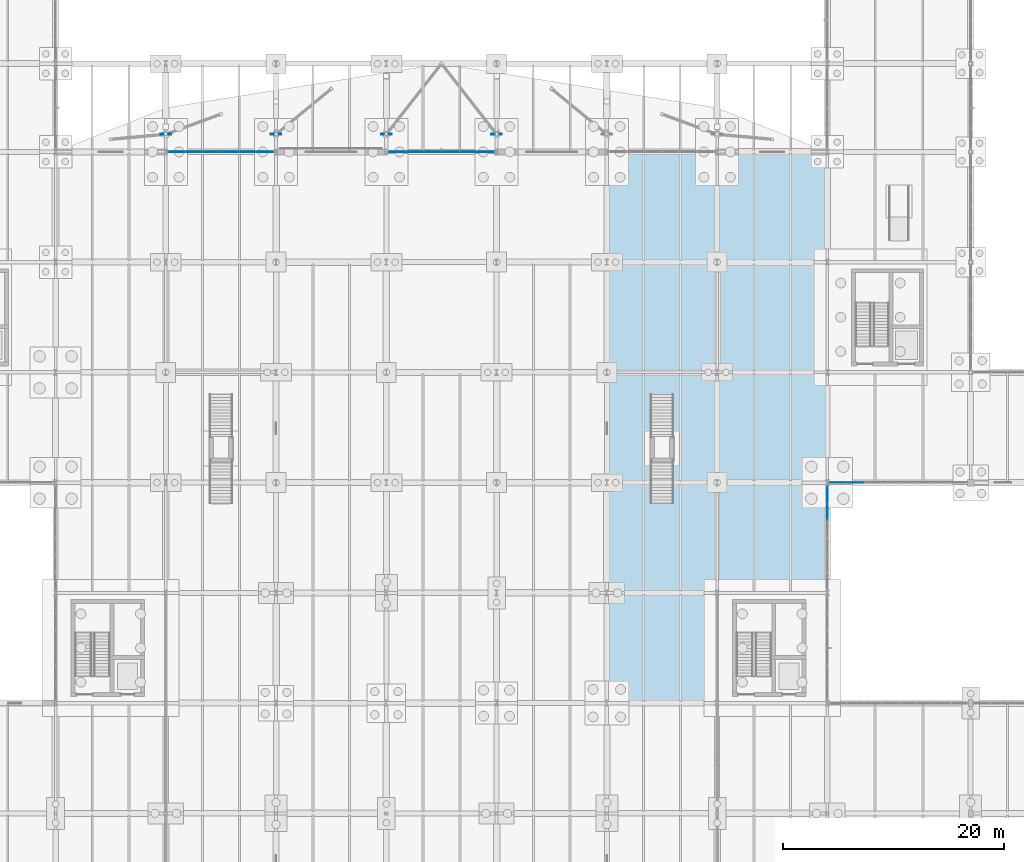
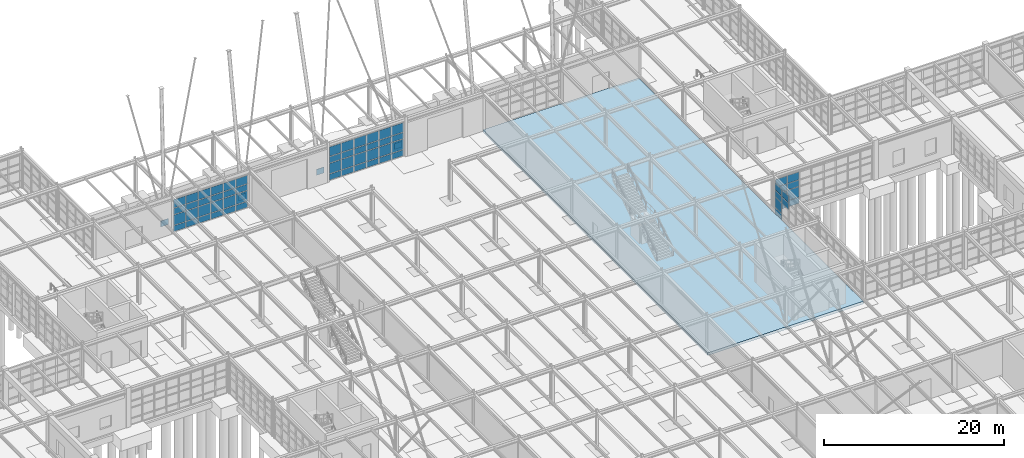
# One storey, part 91 of 145: 66 plates, 1 slab, 4 elements without a shape of their own.
"""IFC4 building model written with IfcOpenShell, lengths in metres."""

import ifcopenshell
import ifcopenshell.guid

model = None  # the IFC model being written
_history = None  # IfcOwnerHistory: only IFC2X3 demands one
_inside = {}  # id of a spatial element -> (the spatial element, [elements in it])
_under = {}  # id of a project, library or spatial element -> (it, [spatial elements below it])
_declared = {}  # id of a project -> (the project, [libraries it declares])
_typed = {}  # id of a type object -> (the type object, [elements of that type])
_made_of = {}  # id of a material, layer set ... -> (it, [elements and type objects made of it])


def new_model(schema):
    """Start an empty IFC model of exactly this schema.

    Asked for "IFC4X3", IfcOpenShell would pick the latest addendum, in which some entities
    have other attributes; the version numbers below select the first issue.
    IFC2X3 requires an IfcOwnerHistory on every rooted entity: one is made here for all.
    """
    global model, _history
    if schema == "IFC4X3":
        model = ifcopenshell.file(schema_version=(4, 3, 0, 0))
    else:
        model = ifcopenshell.file(schema=schema)
    _inside.clear()
    _under.clear()
    _declared.clear()
    _typed.clear()
    _made_of.clear()
    _history = None
    if model.schema == "IFC2X3":
        org = make("IfcOrganization", Name="unknown")
        user = make(
            "IfcPersonAndOrganization",
            ThePerson=make("IfcPerson", FamilyName="unknown"),
            TheOrganization=org,
        )
        app = make(
            "IfcApplication",
            ApplicationDeveloper=org,
            Version="unknown",
            ApplicationFullName="unknown",
            ApplicationIdentifier="unknown",
        )
        _history = make(
            "IfcOwnerHistory",
            OwningUser=user,
            OwningApplication=app,
            ChangeAction="ADDED",
            CreationDate=0,
        )
    return model


def make(cls, **values):
    """One entity of the class cls with the attributes given. An attribute that is None is left unset."""
    return model.create_entity(
        cls, **{name: value for name, value in values.items() if value is not None}
    )


def rooted(cls, **values):
    """An entity with a GlobalId (a new one), such as an element, a storey or a relation."""
    return make(cls, GlobalId=ifcopenshell.guid.new(), OwnerHistory=_history, **values)


def si_unit(unit_type, name, prefix=None):
    """IfcSIUnit, for example si_unit("LENGTHUNIT", "METRE", prefix="MILLI")."""
    return make("IfcSIUnit", UnitType=unit_type, Prefix=prefix, Name=name)


def assignment(units):
    """IfcUnitAssignment: the units of a project."""
    return None if units is None else make("IfcUnitAssignment", Units=units)


def point(xyz):
    """IfcCartesianPoint."""
    return None if xyz is None else make("IfcCartesianPoint", Coordinates=xyz)


def direction(xyz):
    """IfcDirection."""
    return None if xyz is None else make("IfcDirection", DirectionRatios=xyz)


def frame(location, z_axis=None, x_axis=None):
    """IfcAxis2Placement3D, a coordinate frame: its origin and axes. An axis left out is left unset."""
    return make(
        "IfcAxis2Placement3D",
        Location=point(location),
        Axis=direction(z_axis),
        RefDirection=direction(x_axis),
    )


def frame_2d(location, x_axis=None):
    """IfcAxis2Placement2D, a coordinate frame in the plane: its origin and x axis."""
    return make(
        "IfcAxis2Placement2D", Location=point(location), RefDirection=direction(x_axis)
    )


def origin():
    """The frame at (0, 0, 0) with its axes left unset."""
    return frame((0.0, 0.0, 0.0))


def origin_2d():
    """The frame at (0, 0) in the plane with its x axis left unset."""
    return frame_2d((0.0, 0.0))


def place(relative_to, where):
    """IfcLocalPlacement: puts the frame where relative to a parent placement (None: the world)."""
    return make(
        "IfcLocalPlacement", PlacementRelTo=relative_to, RelativePlacement=where
    )


def context(
    kind, dimensions, precision=None, world=None, true_north=None, identifier=None
):
    """IfcGeometricRepresentationContext, for example the 3D "Model" context."""
    return make(
        "IfcGeometricRepresentationContext",
        ContextIdentifier=identifier,
        ContextType=kind,
        CoordinateSpaceDimension=dimensions,
        Precision=precision,
        WorldCoordinateSystem=world,
        TrueNorth=true_north,
    )


def subcontext(parent, identifier, kind, view, scale=None):
    """IfcGeometricRepresentationSubContext, for example "Body" below "Model"."""
    return make(
        "IfcGeometricRepresentationSubContext",
        ContextIdentifier=identifier,
        ContextType=kind,
        ParentContext=parent,
        TargetScale=scale,
        TargetView=view,
    )


def project(units=None, contexts=None):
    """IfcProject with its units and contexts."""
    return rooted(
        "IfcProject",
        Name="project",
        RepresentationContexts=contexts,
        UnitsInContext=assignment(units),
    )


def spatial(cls, under=None, at=None, **own):
    """A site, building, storey or space (cls), placed at a placement, below another one or the project."""
    s = rooted(cls, ObjectPlacement=at, **own)
    if under is not None:
        _under.setdefault(under.id(), (under, []))[1].append(s)
    return s


def polyline(points):
    """IfcPolyline through the points."""
    return make("IfcPolyline", Points=[point(p) for p in points])


def profile(cls, at=None, kind="AREA", **sizes):
    """A parametric profile (cls). Its sizes go by their IFC names, for example OverallWidth=200.0."""
    return make(cls, ProfileType=kind, Position=at, **sizes)


def rectangle(**sizes):
    """IfcRectangleProfileDef."""
    return profile("IfcRectangleProfileDef", **sizes)


def outline(outer, holes=None, kind="AREA"):
    """IfcArbitraryClosedProfileDef: a profile drawn as a closed curve; with holes, ...WithVoids."""
    if holes is None:
        return make("IfcArbitraryClosedProfileDef", ProfileType=kind, OuterCurve=outer)
    return make(
        "IfcArbitraryProfileDefWithVoids",
        ProfileType=kind,
        OuterCurve=outer,
        InnerCurves=holes,
    )


def extrude(swept, where, along, depth):
    """IfcExtrudedAreaSolid: the profile swept, set in the frame where, extruded along a direction by depth."""
    return make(
        "IfcExtrudedAreaSolid",
        SweptArea=swept,
        Position=where,
        ExtrudedDirection=direction(along),
        Depth=depth,
    )


def shape(context_of_items, identifier, shape_type, items):
    """IfcShapeRepresentation: the items that make up one representation, for example the "Body"."""
    return make(
        "IfcShapeRepresentation",
        ContextOfItems=context_of_items,
        RepresentationIdentifier=identifier,
        RepresentationType=shape_type,
        Items=items,
    )


def material(Name=None, Category=None):
    """IfcMaterial."""
    return make("IfcMaterial", Name=Name, Category=Category)


def layer(
    of_material, thickness, ventilated=None, Name=None, Category=None, Priority=None
):
    """IfcMaterialLayer: one layer of a wall or slab, of a material (None: an air gap)."""
    return make(
        "IfcMaterialLayer",
        Material=of_material,
        LayerThickness=thickness,
        IsVentilated=ventilated,
        Name=Name,
        Category=Category,
        Priority=Priority,
    )


def layer_set(layers, Name=None):
    """IfcMaterialLayerSet."""
    return make("IfcMaterialLayerSet", MaterialLayers=layers, LayerSetName=Name)


def made_of(thing, what):
    """Note that an element or type object is made of a material, layer set ...; save() writes the relation."""
    if what is not None:
        _made_of.setdefault(what.id(), (what, []))[1].append(thing)
    return thing


def type_object(cls, material=None, **own):
    """A type object (cls), such as IfcWallType, which elements share."""
    return made_of(rooted(cls, **own), material)


def element(
    cls,
    number,
    at=None,
    inside=None,
    cuts=None,
    type_object=None,
    material=None,
    context=None,
    identifier="Body",
    shape_type=None,
    held_by="IfcProductDefinitionShape",
    body=None,
    shapes=None,
    **own,
):
    """One element of the class cls, such as IfcWall. Its Tag is "e" and its number.

    at: its placement. inside: the storey or other place that contains it. cuts: it is an
    opening in that element (IfcRelVoidsElement). A single representation is given by context,
    identifier, shape_type and body (its items); several are given by shapes. held_by: the class
    of the entity that holds the representations. save() writes the other relations.
    """
    e = rooted(cls, Tag="e%d" % number, ObjectPlacement=at, **own)
    if body is not None:
        shapes = [shape(context, identifier, shape_type, body)]
    if shapes is not None:
        e.Representation = make(held_by, Representations=shapes)
    if inside is not None:
        _inside.setdefault(inside.id(), (inside, []))[1].append(e)
    if cuts is not None:
        rooted(
            "IfcRelVoidsElement", RelatingBuildingElement=cuts, RelatedOpeningElement=e
        )
    if type_object is not None:
        _typed.setdefault(type_object.id(), (type_object, []))[1].append(e)
    return made_of(e, material)


def aggregate(whole, parts):
    """IfcRelAggregates: a whole, such as a stair, and the parts it consists of."""
    return rooted("IfcRelAggregates", RelatingObject=whole, RelatedObjects=parts)


def save(model, path):
    """Write the relations noted so far, then the file.

    IfcRelAggregates (storeys below a building ...), IfcRelContainedInSpatialStructure (elements
    in a storey), IfcRelDefinesByType, IfcRelAssociatesMaterial and IfcRelDeclares: one each for
    every whole, place, type object, material and project.
    """
    for whole, parts in _under.values():
        aggregate(whole, parts)
    for where, things in _inside.values():
        rooted(
            "IfcRelContainedInSpatialStructure",
            RelatedElements=things,
            RelatingStructure=where,
        )
    for kind, things in _typed.values():
        rooted("IfcRelDefinesByType", RelatedObjects=things, RelatingType=kind)
    for what, things in _made_of.values():
        rooted("IfcRelAssociatesMaterial", RelatedObjects=things, RelatingMaterial=what)
    for by, libraries in _declared.values():
        rooted("IfcRelDeclares", RelatingContext=by, RelatedDefinitions=libraries)
    model.write(path)


model = new_model("IFC4")

# Units and contexts
model_context = context("Model", 3, precision=1e-05, world=origin(), true_north=direction((0.0, 1.0)))
body_context = subcontext(model_context, "Body", "Model", "MODEL_VIEW")
ifc_project = project(units=[si_unit("LENGTHUNIT", "METRE"), si_unit("AREAUNIT", "SQUARE_METRE"), si_unit("VOLUMEUNIT", "CUBIC_METRE"), si_unit("PLANEANGLEUNIT", "RADIAN"), si_unit("MASSUNIT", "GRAM", prefix="KILO"), si_unit("THERMODYNAMICTEMPERATUREUNIT", "KELVIN"), si_unit("POWERUNIT", "WATT")], contexts=[model_context])

# Site, building, storey
site_placement = place(None, origin())
site = spatial("IfcSite", under=ifc_project, at=site_placement, CompositionType="ELEMENT")
building_placement = place(site_placement, origin())
building = spatial("IfcBuilding", under=site, at=building_placement, Name="Korenveer Ferry Terminal", CompositionType="ELEMENT")
storey_placement = place(building_placement, origin())
storey = spatial("IfcBuildingStorey", under=building, at=storey_placement, Name="L00", CompositionType="ELEMENT", Elevation=0.0)

# Curtain wall, plates
ifc_material_1 = material(Name="Unitised bronze-and-glass curtain wall", Category="glass")
ifc_layer_1 = layer(ifc_material_1, 0.159912109375)
ifc_layer_set_1 = layer_set([ifc_layer_1], Name="Unitised bronze-and-glass curtain wall")
curtain_wall_type_1 = type_object("IfcCurtainWallType", Name="ENV-CW-07", PredefinedType="USERDEFINED", material=ifc_layer_set_1)
curtain_wall_1_placement = place(storey_placement, frame((123.179931640625, 70.0, 0.0)))
curtain_wall_1 = element("IfcCurtainWall", 1, at=curtain_wall_1_placement, inside=storey, type_object=curtain_wall_type_1, Name="Lancet curtain wall CWX-L00-X123-136-Y70-70", ObjectType="UNITISED CURTAIN WALL", PredefinedType="USERDEFINED")
ifc_material_2 = material(Name="Low-iron solar-control double glazing", Category="glass")
ifc_layer_2 = layer(ifc_material_2, 0.028076171875)
ifc_layer_set_2 = layer_set([ifc_layer_2], Name="Low-iron solar-control double glazing")
plate_type_1 = type_object("IfcPlateType", Name="ENV-CWP-GLZ28", PredefinedType="CURTAIN_PANEL", material=ifc_layer_set_2)
plate_1_placement = place(storey_placement, frame((123.9755859375, 70.0, 0.06005859375), z_axis=(0.0, 0.0, 1.0), x_axis=(1.0, 0.0, 0.0)))
plate_1 = element("IfcPlate", 2, at=plate_1_placement, type_object=plate_type_1, Name="CW-07 panel 1.1", PredefinedType="CURTAIN_PANEL", context=body_context, shape_type="SweptSolid", body=[
    extrude(rectangle(XDim=1.47119140625, YDim=0.028076171875, at=origin_2d()), origin(), (0.0, 0.0, 1.0), 0.81005859375),
])
plate_2_placement = place(storey_placement, frame((123.9755859375, 70.0, 0.93017578125), z_axis=(0.0, 0.0, 1.0), x_axis=(1.0, 0.0, 0.0)))
plate_2 = element("IfcPlate", 3, at=plate_2_placement, type_object=plate_type_1, Name="CW-07 panel 1.2", PredefinedType="CURTAIN_PANEL", context=body_context, shape_type="SweptSolid", body=[
    extrude(rectangle(XDim=1.47119140625, YDim=0.028076171875, at=origin_2d()), origin(), (0.0, 0.0, 1.0), 1.389892578125),
])
plate_3_placement = place(storey_placement, frame((123.9755859375, 70.0, 2.3798828125), z_axis=(0.0, 0.0, 1.0), x_axis=(1.0, 0.0, 0.0)))
plate_3 = element("IfcPlate", 4, at=plate_3_placement, type_object=plate_type_1, Name="CW-07 panel 1.3", PredefinedType="CURTAIN_PANEL", context=body_context, shape_type="SweptSolid", body=[
    extrude(rectangle(XDim=1.47119140625, YDim=0.028076171875, at=origin_2d()), origin(), (0.0, 0.0, 1.0), 0.840087890625),
])
plate_4_placement = place(storey_placement, frame((123.9755859375, 70.0, 3.27978515625), z_axis=(0.0, 0.0, 1.0), x_axis=(1.0, 0.0, 0.0)))
plate_4 = element("IfcPlate", 5, at=plate_4_placement, type_object=plate_type_1, Name="CW-07 panel 1.4", PredefinedType="CURTAIN_PANEL", context=body_context, shape_type="SweptSolid", body=[
    extrude(rectangle(XDim=1.47119140625, YDim=0.028076171875, at=origin_2d()), origin(), (0.0, 0.0, 1.0), 1.050048828125),
])
plate_5_placement = place(storey_placement, frame((125.52197265625, 70.0, 0.06005859375), z_axis=(0.0, 0.0, 1.0), x_axis=(1.0, 0.0, 0.0)))
plate_5 = element("IfcPlate", 6, at=plate_5_placement, type_object=plate_type_1, Name="CW-07 panel 2.1", PredefinedType="CURTAIN_PANEL", context=body_context, shape_type="SweptSolid", body=[
    extrude(rectangle(XDim=1.501220703125, YDim=0.028076171875, at=origin_2d()), origin(), (0.0, 0.0, 1.0), 0.81005859375),
])
plate_6_placement = place(storey_placement, frame((125.52197265625, 70.0, 0.93017578125), z_axis=(0.0, 0.0, 1.0), x_axis=(1.0, 0.0, 0.0)))
plate_6 = element("IfcPlate", 7, at=plate_6_placement, type_object=plate_type_1, Name="CW-07 panel 2.2", PredefinedType="CURTAIN_PANEL", context=body_context, shape_type="SweptSolid", body=[
    extrude(rectangle(XDim=1.501220703125, YDim=0.028076171875, at=origin_2d()), origin(), (0.0, 0.0, 1.0), 1.389892578125),
])
plate_7_placement = place(storey_placement, frame((125.52197265625, 70.0, 2.3798828125), z_axis=(0.0, 0.0, 1.0), x_axis=(1.0, 0.0, 0.0)))
plate_7 = element("IfcPlate", 8, at=plate_7_placement, type_object=plate_type_1, Name="CW-07 panel 2.3", PredefinedType="CURTAIN_PANEL", context=body_context, shape_type="SweptSolid", body=[
    extrude(rectangle(XDim=1.501220703125, YDim=0.028076171875, at=origin_2d()), origin(), (0.0, 0.0, 1.0), 0.840087890625),
])
plate_8_placement = place(storey_placement, frame((125.52197265625, 70.0, 3.27978515625), z_axis=(0.0, 0.0, 1.0), x_axis=(1.0, 0.0, 0.0)))
plate_8 = element("IfcPlate", 9, at=plate_8_placement, type_object=plate_type_1, Name="CW-07 panel 2.4", PredefinedType="CURTAIN_PANEL", context=body_context, shape_type="SweptSolid", body=[
    extrude(rectangle(XDim=1.501220703125, YDim=0.028076171875, at=origin_2d()), origin(), (0.0, 0.0, 1.0), 1.050048828125),
])
aggregate(curtain_wall_1, [plate_1, plate_2, plate_3, plate_4, plate_5, plate_6, plate_7, plate_8])

ifc_layer_3 = layer(ifc_material_1, 0.219970703125)
ifc_layer_set_3 = layer_set([ifc_layer_3], Name="Unitised bronze-and-glass curtain wall")
curtain_wall_type_2 = type_object("IfcCurtainWallType", Name="ENV-CW-13", PredefinedType="USERDEFINED", material=ifc_layer_set_3)
curtain_wall_2_placement = place(storey_placement, frame((63.179931640625, 100.0, 0.0)))
curtain_wall_2 = element("IfcCurtainWall", 10, at=curtain_wall_2_placement, inside=storey, type_object=curtain_wall_type_2, Name="Lancet curtain wall CWX-L00-X63-73-Y100-100", ObjectType="UNITISED CURTAIN WALL", PredefinedType="USERDEFINED")
ifc_material_3 = material(Name="Acoustic laminated marine glazing", Category="glass")
ifc_layer_4 = layer(ifc_material_3, 0.035888671875)
ifc_layer_set_4 = layer_set([ifc_layer_4], Name="Acoustic laminated marine glazing")
plate_type_2 = type_object("IfcPlateType", Name="ENV-CWP-GLZ36", PredefinedType="CURTAIN_PANEL", material=ifc_layer_set_4)
plate_9_placement = place(storey_placement, frame((64.002197265625, 100.0, 0.074951171875), z_axis=(0.0, 0.0, 1.0), x_axis=(1.0, 0.0, 0.0)))
plate_9 = element("IfcPlate", 11, at=plate_9_placement, type_object=plate_type_2, Name="CW-13 panel 1.1", PredefinedType="CURTAIN_PANEL", context=body_context, shape_type="SweptSolid", body=[
    extrude(rectangle(XDim=1.494140625, YDim=0.035888671875, at=origin_2d()), origin(), (0.0, 0.0, 1.0), 0.78759765625),
])
plate_10_placement = place(storey_placement, frame((64.002197265625, 100.0, 0.9375), z_axis=(0.0, 0.0, 1.0), x_axis=(1.0, 0.0, 0.0)))
plate_10 = element("IfcPlate", 12, at=plate_10_placement, type_object=plate_type_2, Name="CW-13 panel 1.2", PredefinedType="CURTAIN_PANEL", context=body_context, shape_type="SweptSolid", body=[
    extrude(rectangle(XDim=1.494140625, YDim=0.035888671875, at=origin_2d()), origin(), (0.0, 0.0, 1.0), 1.375),
])
plate_11_placement = place(storey_placement, frame((64.002197265625, 100.0, 2.3876953125), z_axis=(0.0, 0.0, 1.0), x_axis=(1.0, 0.0, 0.0)))
plate_11 = element("IfcPlate", 13, at=plate_11_placement, type_object=plate_type_2, Name="CW-13 panel 1.3", PredefinedType="CURTAIN_PANEL", context=body_context, shape_type="SweptSolid", body=[
    extrude(rectangle(XDim=1.494140625, YDim=0.035888671875, at=origin_2d()), origin(), (0.0, 0.0, 1.0), 0.824951171875),
])
plate_12_placement = place(storey_placement, frame((64.002197265625, 100.0, 3.28759765625), z_axis=(0.0, 0.0, 1.0), x_axis=(1.0, 0.0, 0.0)))
plate_12 = element("IfcPlate", 14, at=plate_12_placement, type_object=plate_type_2, Name="CW-13 panel 1.4", PredefinedType="CURTAIN_PANEL", context=body_context, shape_type="SweptSolid", body=[
    extrude(rectangle(XDim=1.494140625, YDim=0.035888671875, at=origin_2d()), origin(), (0.0, 0.0, 1.0), 1.117431640625),
])
plate_13_placement = place(storey_placement, frame((65.590087890625, 100.0, 0.074951171875), z_axis=(0.0, 0.0, 1.0), x_axis=(1.0, 0.0, 0.0)))
plate_13 = element("IfcPlate", 15, at=plate_13_placement, type_object=plate_type_2, Name="CW-13 panel 2.1", PredefinedType="CURTAIN_PANEL", context=body_context, shape_type="SweptSolid", body=[
    extrude(rectangle(XDim=1.53173828125, YDim=0.035888671875, at=origin_2d()), origin(), (0.0, 0.0, 1.0), 0.78759765625),
])
plate_14_placement = place(storey_placement, frame((65.590087890625, 100.0, 0.9375), z_axis=(0.0, 0.0, 1.0), x_axis=(1.0, 0.0, 0.0)))
plate_14 = element("IfcPlate", 16, at=plate_14_placement, type_object=plate_type_2, Name="CW-13 panel 2.2", PredefinedType="CURTAIN_PANEL", context=body_context, shape_type="SweptSolid", body=[
    extrude(rectangle(XDim=1.53173828125, YDim=0.035888671875, at=origin_2d()), origin(), (0.0, 0.0, 1.0), 1.375),
])
plate_15_placement = place(storey_placement, frame((65.590087890625, 100.0, 2.3876953125), z_axis=(0.0, 0.0, 1.0), x_axis=(1.0, 0.0, 0.0)))
plate_15 = element("IfcPlate", 17, at=plate_15_placement, type_object=plate_type_2, Name="CW-13 panel 2.3", PredefinedType="CURTAIN_PANEL", context=body_context, shape_type="SweptSolid", body=[
    extrude(rectangle(XDim=1.53173828125, YDim=0.035888671875, at=origin_2d()), origin(), (0.0, 0.0, 1.0), 0.824951171875),
])
plate_16_placement = place(storey_placement, frame((65.590087890625, 100.0, 3.28759765625), z_axis=(0.0, 0.0, 1.0), x_axis=(1.0, 0.0, 0.0)))
plate_16 = element("IfcPlate", 18, at=plate_16_placement, type_object=plate_type_2, Name="CW-13 panel 2.4", PredefinedType="CURTAIN_PANEL", context=body_context, shape_type="SweptSolid", body=[
    extrude(rectangle(XDim=1.53173828125, YDim=0.035888671875, at=origin_2d()), origin(), (0.0, 0.0, 1.0), 1.117431640625),
])
plate_17_placement = place(storey_placement, frame((67.19677734375, 100.0, 0.074951171875), z_axis=(0.0, 0.0, 1.0), x_axis=(1.0, 0.0, 0.0)))
plate_17 = element("IfcPlate", 19, at=plate_17_placement, type_object=plate_type_2, Name="CW-13 panel 3.1", PredefinedType="CURTAIN_PANEL", context=body_context, shape_type="SweptSolid", body=[
    extrude(rectangle(XDim=1.53173828125, YDim=0.035888671875, at=origin_2d()), origin(), (0.0, 0.0, 1.0), 0.78759765625),
])
plate_18_placement = place(storey_placement, frame((67.19677734375, 100.0, 0.9375), z_axis=(0.0, 0.0, 1.0), x_axis=(1.0, 0.0, 0.0)))
plate_18 = element("IfcPlate", 20, at=plate_18_placement, type_object=plate_type_2, Name="CW-13 panel 3.2", PredefinedType="CURTAIN_PANEL", context=body_context, shape_type="SweptSolid", body=[
    extrude(rectangle(XDim=1.53173828125, YDim=0.035888671875, at=origin_2d()), origin(), (0.0, 0.0, 1.0), 1.375),
])
plate_19_placement = place(storey_placement, frame((67.19677734375, 100.0, 2.3876953125), z_axis=(0.0, 0.0, 1.0), x_axis=(1.0, 0.0, 0.0)))
plate_19 = element("IfcPlate", 21, at=plate_19_placement, type_object=plate_type_2, Name="CW-13 panel 3.3", PredefinedType="CURTAIN_PANEL", context=body_context, shape_type="SweptSolid", body=[
    extrude(rectangle(XDim=1.53173828125, YDim=0.035888671875, at=origin_2d()), origin(), (0.0, 0.0, 1.0), 0.824951171875),
])
plate_20_placement = place(storey_placement, frame((67.19677734375, 100.0, 3.28759765625), z_axis=(0.0, 0.0, 1.0), x_axis=(1.0, 0.0, 0.0)))
plate_20 = element("IfcPlate", 22, at=plate_20_placement, type_object=plate_type_2, Name="CW-13 panel 3.4", PredefinedType="CURTAIN_PANEL", context=body_context, shape_type="SweptSolid", body=[
    extrude(rectangle(XDim=1.53173828125, YDim=0.035888671875, at=origin_2d()), origin(), (0.0, 0.0, 1.0), 1.117431640625),
])
plate_21_placement = place(storey_placement, frame((68.80322265625, 100.0, 0.074951171875), z_axis=(0.0, 0.0, 1.0), x_axis=(1.0, 0.0, 0.0)))
plate_21 = element("IfcPlate", 23, at=plate_21_placement, type_object=plate_type_2, Name="CW-13 panel 4.1", PredefinedType="CURTAIN_PANEL", context=body_context, shape_type="SweptSolid", body=[
    extrude(rectangle(XDim=1.53173828125, YDim=0.035888671875, at=origin_2d()), origin(), (0.0, 0.0, 1.0), 0.78759765625),
])
plate_22_placement = place(storey_placement, frame((68.80322265625, 100.0, 0.9375), z_axis=(0.0, 0.0, 1.0), x_axis=(1.0, 0.0, 0.0)))
plate_22 = element("IfcPlate", 24, at=plate_22_placement, type_object=plate_type_2, Name="CW-13 panel 4.2", PredefinedType="CURTAIN_PANEL", context=body_context, shape_type="SweptSolid", body=[
    extrude(rectangle(XDim=1.53173828125, YDim=0.035888671875, at=origin_2d()), origin(), (0.0, 0.0, 1.0), 1.375),
])
plate_23_placement = place(storey_placement, frame((68.80322265625, 100.0, 2.3876953125), z_axis=(0.0, 0.0, 1.0), x_axis=(1.0, 0.0, 0.0)))
plate_23 = element("IfcPlate", 25, at=plate_23_placement, type_object=plate_type_2, Name="CW-13 panel 4.3", PredefinedType="CURTAIN_PANEL", context=body_context, shape_type="SweptSolid", body=[
    extrude(rectangle(XDim=1.53173828125, YDim=0.035888671875, at=origin_2d()), origin(), (0.0, 0.0, 1.0), 0.824951171875),
])
plate_24_placement = place(storey_placement, frame((68.80322265625, 100.0, 3.28759765625), z_axis=(0.0, 0.0, 1.0), x_axis=(1.0, 0.0, 0.0)))
plate_24 = element("IfcPlate", 26, at=plate_24_placement, type_object=plate_type_2, Name="CW-13 panel 4.4", PredefinedType="CURTAIN_PANEL", context=body_context, shape_type="SweptSolid", body=[
    extrude(rectangle(XDim=1.53173828125, YDim=0.035888671875, at=origin_2d()), origin(), (0.0, 0.0, 1.0), 1.117431640625),
])
plate_25_placement = place(storey_placement, frame((70.409912109375, 100.0, 0.074951171875), z_axis=(0.0, 0.0, 1.0), x_axis=(1.0, 0.0, 0.0)))
plate_25 = element("IfcPlate", 27, at=plate_25_placement, type_object=plate_type_2, Name="CW-13 panel 5.1", PredefinedType="CURTAIN_PANEL", context=body_context, shape_type="SweptSolid", body=[
    extrude(rectangle(XDim=1.53173828125, YDim=0.035888671875, at=origin_2d()), origin(), (0.0, 0.0, 1.0), 0.78759765625),
])
plate_26_placement = place(storey_placement, frame((70.409912109375, 100.0, 0.9375), z_axis=(0.0, 0.0, 1.0), x_axis=(1.0, 0.0, 0.0)))
plate_26 = element("IfcPlate", 28, at=plate_26_placement, type_object=plate_type_2, Name="CW-13 panel 5.2", PredefinedType="CURTAIN_PANEL", context=body_context, shape_type="SweptSolid", body=[
    extrude(rectangle(XDim=1.53173828125, YDim=0.035888671875, at=origin_2d()), origin(), (0.0, 0.0, 1.0), 1.375),
])
plate_27_placement = place(storey_placement, frame((70.409912109375, 100.0, 2.3876953125), z_axis=(0.0, 0.0, 1.0), x_axis=(1.0, 0.0, 0.0)))
plate_27 = element("IfcPlate", 29, at=plate_27_placement, type_object=plate_type_2, Name="CW-13 panel 5.3", PredefinedType="CURTAIN_PANEL", context=body_context, shape_type="SweptSolid", body=[
    extrude(rectangle(XDim=1.53173828125, YDim=0.035888671875, at=origin_2d()), origin(), (0.0, 0.0, 1.0), 0.824951171875),
])
plate_28_placement = place(storey_placement, frame((70.409912109375, 100.0, 3.28759765625), z_axis=(0.0, 0.0, 1.0), x_axis=(1.0, 0.0, 0.0)))
plate_28 = element("IfcPlate", 30, at=plate_28_placement, type_object=plate_type_2, Name="CW-13 panel 5.4", PredefinedType="CURTAIN_PANEL", context=body_context, shape_type="SweptSolid", body=[
    extrude(rectangle(XDim=1.53173828125, YDim=0.035888671875, at=origin_2d()), origin(), (0.0, 0.0, 1.0), 1.117431640625),
])
plate_29_placement = place(storey_placement, frame((71.997802734375, 100.0, 0.074951171875), z_axis=(0.0, 0.0, 1.0), x_axis=(1.0, 0.0, 0.0)))
plate_29 = element("IfcPlate", 31, at=plate_29_placement, type_object=plate_type_2, Name="CW-13 panel 6.1", PredefinedType="CURTAIN_PANEL", context=body_context, shape_type="SweptSolid", body=[
    extrude(rectangle(XDim=1.494140625, YDim=0.035888671875, at=origin_2d()), origin(), (0.0, 0.0, 1.0), 0.78759765625),
])
plate_30_placement = place(storey_placement, frame((71.997802734375, 100.0, 0.9375), z_axis=(0.0, 0.0, 1.0), x_axis=(1.0, 0.0, 0.0)))
plate_30 = element("IfcPlate", 32, at=plate_30_placement, type_object=plate_type_2, Name="CW-13 panel 6.2", PredefinedType="CURTAIN_PANEL", context=body_context, shape_type="SweptSolid", body=[
    extrude(rectangle(XDim=1.494140625, YDim=0.035888671875, at=origin_2d()), origin(), (0.0, 0.0, 1.0), 1.375),
])
plate_31_placement = place(storey_placement, frame((71.997802734375, 100.0, 2.3876953125), z_axis=(0.0, 0.0, 1.0), x_axis=(1.0, 0.0, 0.0)))
plate_31 = element("IfcPlate", 33, at=plate_31_placement, type_object=plate_type_2, Name="CW-13 panel 6.3", PredefinedType="CURTAIN_PANEL", context=body_context, shape_type="SweptSolid", body=[
    extrude(rectangle(XDim=1.494140625, YDim=0.035888671875, at=origin_2d()), origin(), (0.0, 0.0, 1.0), 0.824951171875),
])
plate_32_placement = place(storey_placement, frame((71.997802734375, 100.0, 3.28759765625), z_axis=(0.0, 0.0, 1.0), x_axis=(1.0, 0.0, 0.0)))
plate_32 = element("IfcPlate", 34, at=plate_32_placement, type_object=plate_type_2, Name="CW-13 panel 6.4", PredefinedType="CURTAIN_PANEL", context=body_context, shape_type="SweptSolid", body=[
    extrude(rectangle(XDim=1.494140625, YDim=0.035888671875, at=origin_2d()), origin(), (0.0, 0.0, 1.0), 1.117431640625),
])
aggregate(curtain_wall_2, [plate_9, plate_10, plate_11, plate_12, plate_13, plate_14, plate_15, plate_16, plate_17, plate_18, plate_19, plate_20, plate_21, plate_22, plate_23, plate_24, plate_25, plate_26, plate_27, plate_28, plate_29, plate_30, plate_31, plate_32])

ifc_layer_5 = layer(ifc_material_1, 0.219970703125)
ifc_layer_set_5 = layer_set([ifc_layer_5], Name="Unitised bronze-and-glass curtain wall")
curtain_wall_type_3 = type_object("IfcCurtainWallType", Name="ENV-CW-14", PredefinedType="USERDEFINED", material=ifc_layer_set_5)
curtain_wall_3_placement = place(storey_placement, frame((83.179931640625, 100.0, 0.0)))
curtain_wall_3 = element("IfcCurtainWall", 35, at=curtain_wall_3_placement, inside=storey, type_object=curtain_wall_type_3, Name="Lancet curtain wall CWX-L00-X83-93-Y100-100", ObjectType="UNITISED CURTAIN WALL", PredefinedType="USERDEFINED")
plate_33_placement = place(storey_placement, frame((84.002197265625, 100.0, 0.074951171875), z_axis=(0.0, 0.0, 1.0), x_axis=(1.0, 0.0, 0.0)))
plate_33 = element("IfcPlate", 36, at=plate_33_placement, type_object=plate_type_2, Name="CW-14 panel 1.1", PredefinedType="CURTAIN_PANEL", context=body_context, shape_type="SweptSolid", body=[
    extrude(rectangle(XDim=1.494140625, YDim=0.035888671875, at=origin_2d()), origin(), (0.0, 0.0, 1.0), 0.78759765625),
])
plate_34_placement = place(storey_placement, frame((84.002197265625, 100.0, 0.9375), z_axis=(0.0, 0.0, 1.0), x_axis=(1.0, 0.0, 0.0)))
plate_34 = element("IfcPlate", 37, at=plate_34_placement, type_object=plate_type_2, Name="CW-14 panel 1.2", PredefinedType="CURTAIN_PANEL", context=body_context, shape_type="SweptSolid", body=[
    extrude(rectangle(XDim=1.494140625, YDim=0.035888671875, at=origin_2d()), origin(), (0.0, 0.0, 1.0), 1.375),
])
plate_35_placement = place(storey_placement, frame((84.002197265625, 100.0, 2.3876953125), z_axis=(0.0, 0.0, 1.0), x_axis=(1.0, 0.0, 0.0)))
plate_35 = element("IfcPlate", 38, at=plate_35_placement, type_object=plate_type_2, Name="CW-14 panel 1.3", PredefinedType="CURTAIN_PANEL", context=body_context, shape_type="SweptSolid", body=[
    extrude(rectangle(XDim=1.494140625, YDim=0.035888671875, at=origin_2d()), origin(), (0.0, 0.0, 1.0), 0.824951171875),
])
plate_36_placement = place(storey_placement, frame((84.002197265625, 100.0, 3.287353515625), z_axis=(0.0, 0.0, 1.0), x_axis=(1.0, 0.0, 0.0)))
plate_36 = element("IfcPlate", 39, at=plate_36_placement, type_object=plate_type_2, Name="CW-14 panel 1.4", PredefinedType="CURTAIN_PANEL", context=body_context, shape_type="SweptSolid", body=[
    extrude(rectangle(XDim=1.494140625, YDim=0.035888671875, at=origin_2d()), origin(), (0.0, 0.0, 1.0), 1.267578125),
])
plate_37_placement = place(storey_placement, frame((85.590087890625, 100.0, 0.074951171875), z_axis=(0.0, 0.0, 1.0), x_axis=(1.0, 0.0, 0.0)))
plate_37 = element("IfcPlate", 40, at=plate_37_placement, type_object=plate_type_2, Name="CW-14 panel 2.1", PredefinedType="CURTAIN_PANEL", context=body_context, shape_type="SweptSolid", body=[
    extrude(rectangle(XDim=1.53173828125, YDim=0.035888671875, at=origin_2d()), origin(), (0.0, 0.0, 1.0), 0.78759765625),
])
plate_38_placement = place(storey_placement, frame((85.590087890625, 100.0, 0.9375), z_axis=(0.0, 0.0, 1.0), x_axis=(1.0, 0.0, 0.0)))
plate_38 = element("IfcPlate", 41, at=plate_38_placement, type_object=plate_type_2, Name="CW-14 panel 2.2", PredefinedType="CURTAIN_PANEL", context=body_context, shape_type="SweptSolid", body=[
    extrude(rectangle(XDim=1.53173828125, YDim=0.035888671875, at=origin_2d()), origin(), (0.0, 0.0, 1.0), 1.375),
])
plate_39_placement = place(storey_placement, frame((85.590087890625, 100.0, 2.3876953125), z_axis=(0.0, 0.0, 1.0), x_axis=(1.0, 0.0, 0.0)))
plate_39 = element("IfcPlate", 42, at=plate_39_placement, type_object=plate_type_2, Name="CW-14 panel 2.3", PredefinedType="CURTAIN_PANEL", context=body_context, shape_type="SweptSolid", body=[
    extrude(rectangle(XDim=1.53173828125, YDim=0.035888671875, at=origin_2d()), origin(), (0.0, 0.0, 1.0), 0.824951171875),
])
plate_40_placement = place(storey_placement, frame((85.590087890625, 100.0, 3.287353515625), z_axis=(0.0, 0.0, 1.0), x_axis=(1.0, 0.0, 0.0)))
plate_40 = element("IfcPlate", 43, at=plate_40_placement, type_object=plate_type_2, Name="CW-14 panel 2.4", PredefinedType="CURTAIN_PANEL", context=body_context, shape_type="SweptSolid", body=[
    extrude(rectangle(XDim=1.53173828125, YDim=0.035888671875, at=origin_2d()), origin(), (0.0, 0.0, 1.0), 1.267578125),
])
plate_41_placement = place(storey_placement, frame((87.19677734375, 100.0, 0.074951171875), z_axis=(0.0, 0.0, 1.0), x_axis=(1.0, 0.0, 0.0)))
plate_41 = element("IfcPlate", 44, at=plate_41_placement, type_object=plate_type_2, Name="CW-14 panel 3.1", PredefinedType="CURTAIN_PANEL", context=body_context, shape_type="SweptSolid", body=[
    extrude(rectangle(XDim=1.53173828125, YDim=0.035888671875, at=origin_2d()), origin(), (0.0, 0.0, 1.0), 0.78759765625),
])
plate_42_placement = place(storey_placement, frame((87.19677734375, 100.0, 0.9375), z_axis=(0.0, 0.0, 1.0), x_axis=(1.0, 0.0, 0.0)))
plate_42 = element("IfcPlate", 45, at=plate_42_placement, type_object=plate_type_2, Name="CW-14 panel 3.2", PredefinedType="CURTAIN_PANEL", context=body_context, shape_type="SweptSolid", body=[
    extrude(rectangle(XDim=1.53173828125, YDim=0.035888671875, at=origin_2d()), origin(), (0.0, 0.0, 1.0), 1.375),
])
plate_43_placement = place(storey_placement, frame((87.19677734375, 100.0, 2.3876953125), z_axis=(0.0, 0.0, 1.0), x_axis=(1.0, 0.0, 0.0)))
plate_43 = element("IfcPlate", 46, at=plate_43_placement, type_object=plate_type_2, Name="CW-14 panel 3.3", PredefinedType="CURTAIN_PANEL", context=body_context, shape_type="SweptSolid", body=[
    extrude(rectangle(XDim=1.53173828125, YDim=0.035888671875, at=origin_2d()), origin(), (0.0, 0.0, 1.0), 0.824951171875),
])
plate_44_placement = place(storey_placement, frame((87.19677734375, 100.0, 3.287353515625), z_axis=(0.0, 0.0, 1.0), x_axis=(1.0, 0.0, 0.0)))
plate_44 = element("IfcPlate", 47, at=plate_44_placement, type_object=plate_type_2, Name="CW-14 panel 3.4", PredefinedType="CURTAIN_PANEL", context=body_context, shape_type="SweptSolid", body=[
    extrude(rectangle(XDim=1.53173828125, YDim=0.035888671875, at=origin_2d()), origin(), (0.0, 0.0, 1.0), 1.267578125),
])
plate_45_placement = place(storey_placement, frame((88.80322265625, 100.0, 0.074951171875), z_axis=(0.0, 0.0, 1.0), x_axis=(1.0, 0.0, 0.0)))
plate_45 = element("IfcPlate", 48, at=plate_45_placement, type_object=plate_type_2, Name="CW-14 panel 4.1", PredefinedType="CURTAIN_PANEL", context=body_context, shape_type="SweptSolid", body=[
    extrude(rectangle(XDim=1.53173828125, YDim=0.035888671875, at=origin_2d()), origin(), (0.0, 0.0, 1.0), 0.78759765625),
])
plate_46_placement = place(storey_placement, frame((88.80322265625, 100.0, 0.9375), z_axis=(0.0, 0.0, 1.0), x_axis=(1.0, 0.0, 0.0)))
plate_46 = element("IfcPlate", 49, at=plate_46_placement, type_object=plate_type_2, Name="CW-14 panel 4.2", PredefinedType="CURTAIN_PANEL", context=body_context, shape_type="SweptSolid", body=[
    extrude(rectangle(XDim=1.53173828125, YDim=0.035888671875, at=origin_2d()), origin(), (0.0, 0.0, 1.0), 1.375),
])
plate_47_placement = place(storey_placement, frame((88.80322265625, 100.0, 2.3876953125), z_axis=(0.0, 0.0, 1.0), x_axis=(1.0, 0.0, 0.0)))
plate_47 = element("IfcPlate", 50, at=plate_47_placement, type_object=plate_type_2, Name="CW-14 panel 4.3", PredefinedType="CURTAIN_PANEL", context=body_context, shape_type="SweptSolid", body=[
    extrude(rectangle(XDim=1.53173828125, YDim=0.035888671875, at=origin_2d()), origin(), (0.0, 0.0, 1.0), 0.824951171875),
])
plate_48_placement = place(storey_placement, frame((88.80322265625, 100.0, 3.287353515625), z_axis=(0.0, 0.0, 1.0), x_axis=(1.0, 0.0, 0.0)))
plate_48 = element("IfcPlate", 51, at=plate_48_placement, type_object=plate_type_2, Name="CW-14 panel 4.4", PredefinedType="CURTAIN_PANEL", context=body_context, shape_type="SweptSolid", body=[
    extrude(rectangle(XDim=1.53173828125, YDim=0.035888671875, at=origin_2d()), origin(), (0.0, 0.0, 1.0), 1.267578125),
])
plate_49_placement = place(storey_placement, frame((90.409912109375, 100.0, 0.074951171875), z_axis=(0.0, 0.0, 1.0), x_axis=(1.0, 0.0, 0.0)))
plate_49 = element("IfcPlate", 52, at=plate_49_placement, type_object=plate_type_2, Name="CW-14 panel 5.1", PredefinedType="CURTAIN_PANEL", context=body_context, shape_type="SweptSolid", body=[
    extrude(rectangle(XDim=1.53173828125, YDim=0.035888671875, at=origin_2d()), origin(), (0.0, 0.0, 1.0), 0.78759765625),
])
plate_50_placement = place(storey_placement, frame((90.409912109375, 100.0, 0.9375), z_axis=(0.0, 0.0, 1.0), x_axis=(1.0, 0.0, 0.0)))
plate_50 = element("IfcPlate", 53, at=plate_50_placement, type_object=plate_type_2, Name="CW-14 panel 5.2", PredefinedType="CURTAIN_PANEL", context=body_context, shape_type="SweptSolid", body=[
    extrude(rectangle(XDim=1.53173828125, YDim=0.035888671875, at=origin_2d()), origin(), (0.0, 0.0, 1.0), 1.375),
])
plate_51_placement = place(storey_placement, frame((90.409912109375, 100.0, 2.3876953125), z_axis=(0.0, 0.0, 1.0), x_axis=(1.0, 0.0, 0.0)))
plate_51 = element("IfcPlate", 54, at=plate_51_placement, type_object=plate_type_2, Name="CW-14 panel 5.3", PredefinedType="CURTAIN_PANEL", context=body_context, shape_type="SweptSolid", body=[
    extrude(rectangle(XDim=1.53173828125, YDim=0.035888671875, at=origin_2d()), origin(), (0.0, 0.0, 1.0), 0.824951171875),
])
plate_52_placement = place(storey_placement, frame((90.409912109375, 100.0, 3.287353515625), z_axis=(0.0, 0.0, 1.0), x_axis=(1.0, 0.0, 0.0)))
plate_52 = element("IfcPlate", 55, at=plate_52_placement, type_object=plate_type_2, Name="CW-14 panel 5.4", PredefinedType="CURTAIN_PANEL", context=body_context, shape_type="SweptSolid", body=[
    extrude(rectangle(XDim=1.53173828125, YDim=0.035888671875, at=origin_2d()), origin(), (0.0, 0.0, 1.0), 1.267578125),
])
plate_53_placement = place(storey_placement, frame((91.997802734375, 100.0, 0.074951171875), z_axis=(0.0, 0.0, 1.0), x_axis=(1.0, 0.0, 0.0)))
plate_53 = element("IfcPlate", 56, at=plate_53_placement, type_object=plate_type_2, Name="CW-14 panel 6.1", PredefinedType="CURTAIN_PANEL", context=body_context, shape_type="SweptSolid", body=[
    extrude(rectangle(XDim=1.494140625, YDim=0.035888671875, at=origin_2d()), origin(), (0.0, 0.0, 1.0), 0.78759765625),
])
plate_54_placement = place(storey_placement, frame((91.997802734375, 100.0, 0.9375), z_axis=(0.0, 0.0, 1.0), x_axis=(1.0, 0.0, 0.0)))
plate_54 = element("IfcPlate", 57, at=plate_54_placement, type_object=plate_type_2, Name="CW-14 panel 6.2", PredefinedType="CURTAIN_PANEL", context=body_context, shape_type="SweptSolid", body=[
    extrude(rectangle(XDim=1.494140625, YDim=0.035888671875, at=origin_2d()), origin(), (0.0, 0.0, 1.0), 1.375),
])
plate_55_placement = place(storey_placement, frame((91.997802734375, 100.0, 2.3876953125), z_axis=(0.0, 0.0, 1.0), x_axis=(1.0, 0.0, 0.0)))
plate_55 = element("IfcPlate", 58, at=plate_55_placement, type_object=plate_type_2, Name="CW-14 panel 6.3", PredefinedType="CURTAIN_PANEL", context=body_context, shape_type="SweptSolid", body=[
    extrude(rectangle(XDim=1.494140625, YDim=0.035888671875, at=origin_2d()), origin(), (0.0, 0.0, 1.0), 0.824951171875),
])
plate_56_placement = place(storey_placement, frame((91.997802734375, 100.0, 3.287353515625), z_axis=(0.0, 0.0, 1.0), x_axis=(1.0, 0.0, 0.0)))
plate_56 = element("IfcPlate", 59, at=plate_56_placement, type_object=plate_type_2, Name="CW-14 panel 6.4", PredefinedType="CURTAIN_PANEL", context=body_context, shape_type="SweptSolid", body=[
    extrude(rectangle(XDim=1.494140625, YDim=0.035888671875, at=origin_2d()), origin(), (0.0, 0.0, 1.0), 1.267578125),
])
aggregate(curtain_wall_3, [plate_33, plate_34, plate_35, plate_36, plate_37, plate_38, plate_39, plate_40, plate_41, plate_42, plate_43, plate_44, plate_45, plate_46, plate_47, plate_48, plate_49, plate_50, plate_51, plate_52, plate_53, plate_54, plate_55, plate_56])

ifc_layer_6 = layer(ifc_material_1, 0.219970703125)
ifc_layer_set_6 = layer_set([ifc_layer_6], Name="Unitised bronze-and-glass curtain wall")
curtain_wall_type_4 = type_object("IfcCurtainWallType", Name="ENV-CW-27", PredefinedType="USERDEFINED", material=ifc_layer_set_6)
curtain_wall_4_placement = place(storey_placement, frame((123.0, 69.719970703125, 0.0)))
curtain_wall_4 = element("IfcCurtainWall", 60, at=curtain_wall_4_placement, inside=storey, type_object=curtain_wall_type_4, Name="Lancet curtain wall CWX-L00-X123-123-Y60-70", ObjectType="UNITISED CURTAIN WALL", PredefinedType="USERDEFINED")
plate_57_placement = place(storey_placement, frame((123.0, 68.91455078125, 0.074951171875), z_axis=(0.0, 0.0, 1.0), x_axis=(0.0, -1.0, 0.0)))
plate_57 = element("IfcPlate", 61, at=plate_57_placement, type_object=plate_type_2, Name="CW-27 panel 1.1", PredefinedType="CURTAIN_PANEL", context=body_context, shape_type="SweptSolid", body=[
    extrude(rectangle(XDim=1.4609375, YDim=0.035888671875, at=origin_2d()), origin(), (0.0, 0.0, 1.0), 0.78759765625),
])
plate_58_placement = place(storey_placement, frame((123.0, 68.91455078125, 0.9375), z_axis=(0.0, 0.0, 1.0), x_axis=(0.0, -1.0, 0.0)))
plate_58 = element("IfcPlate", 62, at=plate_58_placement, type_object=plate_type_2, Name="CW-27 panel 1.2", PredefinedType="CURTAIN_PANEL", context=body_context, shape_type="SweptSolid", body=[
    extrude(rectangle(XDim=1.4609375, YDim=0.035888671875, at=origin_2d()), origin(), (0.0, 0.0, 1.0), 1.375),
])
plate_59_placement = place(storey_placement, frame((123.0, 68.91455078125, 2.3876953125), z_axis=(0.0, 0.0, 1.0), x_axis=(0.0, -1.0, 0.0)))
plate_59 = element("IfcPlate", 63, at=plate_59_placement, type_object=plate_type_2, Name="CW-27 panel 1.3", PredefinedType="CURTAIN_PANEL", context=body_context, shape_type="SweptSolid", body=[
    extrude(rectangle(XDim=1.4609375, YDim=0.035888671875, at=origin_2d()), origin(), (0.0, 0.0, 1.0), 0.824951171875),
])
plate_60_placement = place(storey_placement, frame((123.0, 68.91455078125, 3.28759765625), z_axis=(0.0, 0.0, 1.0), x_axis=(0.0, -1.0, 0.0)))
plate_60 = element("IfcPlate", 64, at=plate_60_placement, type_object=plate_type_2, Name="CW-27 panel 1.4", PredefinedType="CURTAIN_PANEL", context=body_context, shape_type="SweptSolid", body=[
    extrude(rectangle(XDim=1.4609375, YDim=0.035888671875, at=origin_2d()), origin(), (0.0, 0.0, 1.0), 0.887451171875),
])
plate_61_placement = place(storey_placement, frame((123.0, 67.360107421875, 2.3876953125), z_axis=(0.0, 0.0, 1.0), x_axis=(0.0, -1.0, 0.0)))
plate_61 = element("IfcPlate", 65, at=plate_61_placement, type_object=plate_type_2, Name="CW-27 panel 2.3", PredefinedType="CURTAIN_PANEL", context=body_context, shape_type="SweptSolid", body=[
    extrude(rectangle(XDim=1.498291015625, YDim=0.035888671875, at=origin_2d()), origin(), (0.0, 0.0, 1.0), 0.824951171875),
])
plate_62_placement = place(storey_placement, frame((123.0, 67.360107421875, 3.28759765625), z_axis=(0.0, 0.0, 1.0), x_axis=(0.0, -1.0, 0.0)))
plate_62 = element("IfcPlate", 66, at=plate_62_placement, type_object=plate_type_2, Name="CW-27 panel 2.4", PredefinedType="CURTAIN_PANEL", context=body_context, shape_type="SweptSolid", body=[
    extrude(rectangle(XDim=1.498291015625, YDim=0.035888671875, at=origin_2d()), origin(), (0.0, 0.0, 1.0), 0.887451171875),
])
aggregate(curtain_wall_4, [plate_57, plate_58, plate_59, plate_60, plate_61, plate_62])

# Plates
ifc_material_4 = material(Name="Steel S355", Category="steel")
ifc_layer_7 = layer(ifc_material_4, 0.070068359375)
ifc_layer_set_7 = layer_set([ifc_layer_7], Name="Steel S355")
plate_type_3 = type_object("IfcPlateType", Name="STR-PLT-GUS70", PredefinedType="USERDEFINED", material=ifc_layer_set_7)
for number, where, z_axis, x_axis, name in (
    (67, (63.0, 101.60009765625, 0.0), (0.0, 0.0, 1.0), (1.0, 0.0, 0.0), "Prow V-column node gusset PN1"),
    (68, (73.0, 101.60009765625, 0.0), (0.0, 0.0, 1.0), (1.0, 0.0, 0.0), "Prow V-column node gusset PN2"),
    (69, (83.0, 101.60009765625, 0.0), (0.0, 0.0, 1.0), (1.0, 0.0, 0.0), "Prow V-column node gusset PN3"),
    (70, (93.0, 101.60009765625, 0.0), (0.0, 0.0, 1.0), (1.0, 0.0, 0.0), "Prow V-column node gusset PN4"),
):
    element("IfcPlate", number, at=place(storey_placement, frame(where, z_axis=z_axis, x_axis=x_axis)), inside=storey, type_object=plate_type_3, Name=name, ObjectType="GUSSET PLATE", PredefinedType="USERDEFINED", context=body_context, shape_type="SweptSolid", body=[
        extrude(rectangle(XDim=0.949951171875, YDim=0.070068359375, at=origin_2d()), origin(), (0.0, 0.0, 1.0), 0.800048828125),
    ])

# Slab
ifc_material_5 = material(Name="Concrete C40/50", Category="concrete")
ifc_layer_8 = layer(ifc_material_5, 0.35009765625)
ifc_layer_set_8 = layer_set([ifc_layer_8], Name="Concrete C40/50")
slab_type = type_object("IfcSlabType", Name="STR-SL-BASE350", PredefinedType="BASESLAB", material=ifc_layer_set_8)
slab_placement = place(storey_placement, frame((0.0, 0.0, -0.35009765625)))
element("IfcSlab", 71, at=slab_placement, inside=storey, type_object=slab_type, Name="Floor slab SL-L00-HE", PredefinedType="BASESLAB", context=body_context, shape_type="SweptSolid", body=[
    extrude(outline(polyline([(103.0, 50.0), (123.0, 50.0), (123.0, 100.0), (103.0, 100.0), (103.0, 50.0)])), origin(), (0.0, 0.0, 1.0), 0.35009765625),
])

save(model, "model.ifc")
